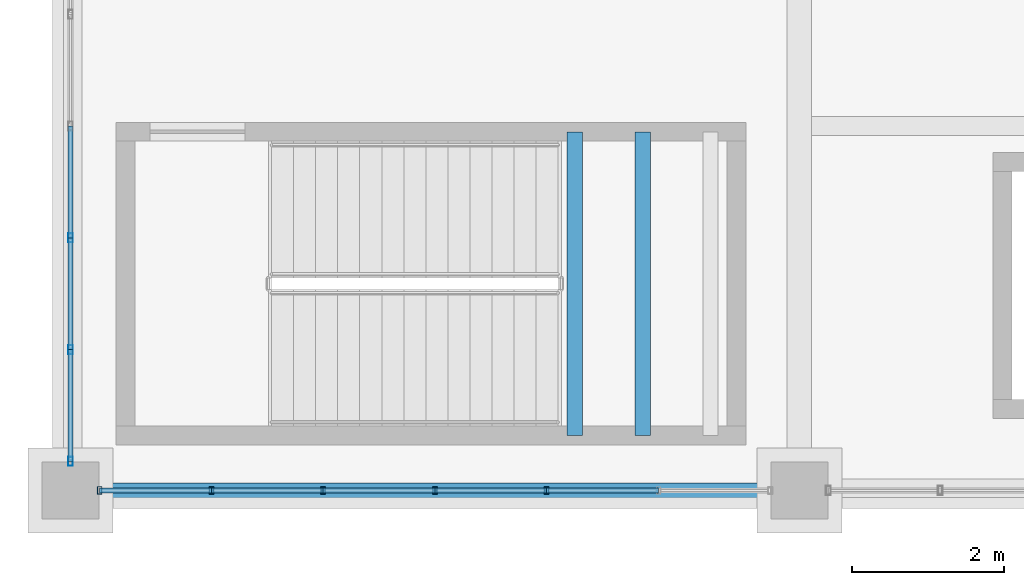
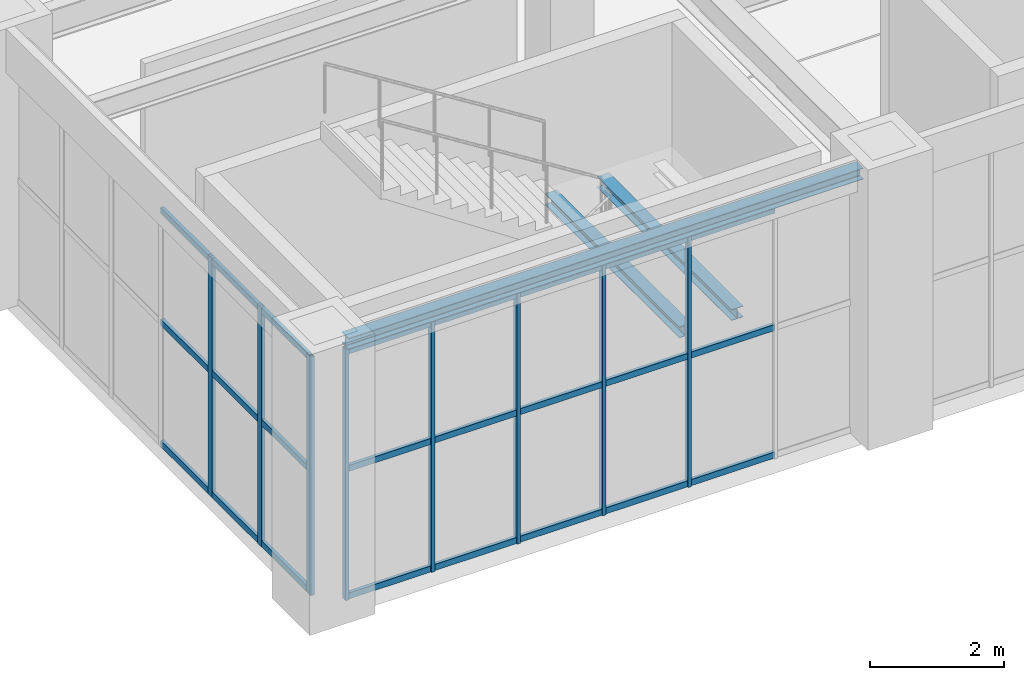
# One storey, part 4 of 174: 32 members, 3 beams, 2 elements without a shape of their own.
"""IFC4 building model written with IfcOpenShell, lengths in metres."""

from ifc_helpers import new_model, si_unit, direction, frame, origin, origin_2d, place, context, subcontext, project, spatial, hollow_rectangle, i_section, extrude, material, material_profile, profile_set, type_object, element, aggregate, save


model = new_model("IFC4")

# Units and contexts
model_context = context("Model", 3, precision=1e-05, world=origin(), true_north=direction((0.0, 1.0)))
body_context = subcontext(model_context, "Body", "Model", "MODEL_VIEW")
ifc_project = project(units=[si_unit("LENGTHUNIT", "METRE"), si_unit("AREAUNIT", "SQUARE_METRE"), si_unit("VOLUMEUNIT", "CUBIC_METRE"), si_unit("PLANEANGLEUNIT", "RADIAN"), si_unit("MASSUNIT", "GRAM", prefix="KILO")], contexts=[model_context])

# Site, building, storey
site_placement = place(None, origin())
site = spatial("IfcSite", under=ifc_project, at=site_placement, CompositionType="ELEMENT")
building_placement = place(site_placement, origin())
building = spatial("IfcBuilding", under=site, at=building_placement, Name="Mavantir Sound Aquarium", CompositionType="ELEMENT")
storey_placement = place(building_placement, frame((0.0, 0.0, 5.39990234375)))
storey = spatial("IfcBuildingStorey", under=building, at=storey_placement, Name="L01", CompositionType="ELEMENT", Elevation=5.39990234375)

# Beams
ifc_material_1 = material(Name="Structural Steel ASTM A992 Gr50", Category="steel")
ifc_material_profile_1 = material_profile(ifc_material_1, i_section(OverallWidth=0.202880859375, OverallDepth=0.202880859375, WebThickness=0.007080078125, FlangeThickness=0.010986328125, FilletRadius=0.010009765625, at=origin_2d()), Name="W200X46")
ifc_profile_set_1 = profile_set([ifc_material_profile_1], Name="Structural Steel ASTM A992 Gr50")
beam_type_1 = type_object("IfcBeamType", Name="BM-W200X46-E", PredefinedType="LINTEL", material=ifc_profile_set_1)
beam_placement = place(storey_placement, frame((0.375, 0.0, 4.694580078125), z_axis=(1.0, 0.0, 0.0), x_axis=(0.0, 1.0, 0.0)))
element("IfcBeam", 1, at=beam_placement, inside=storey, type_object=beam_type_1, Name="L01 primary beam SL-20 1206", PredefinedType="LINTEL", context=body_context, shape_type="SweptSolid", body=[
    extrude(i_section(OverallWidth=0.202880859375, OverallDepth=0.202880859375, WebThickness=0.007080078125, FlangeThickness=0.010986328125, FilletRadius=0.010009765625, at=origin_2d()), origin(), (0.0, 0.0, 1.0), 8.85009765625),
])
ifc_material_profile_2 = material_profile(ifc_material_1, i_section(OverallWidth=0.202880859375, OverallDepth=0.202880859375, WebThickness=0.007080078125, FlangeThickness=0.010986328125, FilletRadius=0.010009765625, at=origin_2d()), Name="W200X46")
ifc_profile_set_2 = profile_set([ifc_material_profile_2], Name="Structural Steel ASTM A992 Gr50")
beam_type_2 = type_object("IfcBeamType", Name="BM-W200X46-I", PredefinedType="LINTEL", material=ifc_profile_set_2)
for number, where, z_axis, x_axis, name in (
    (2, (6.639892578125, 0.72509765625, 2.24560546875), (0.0, 1.0, 0.0), (-1.0, 0.0, 0.0), "Stair ST3 landing support beam 46"),
    (3, (7.534912109375, 0.72509765625, 2.24560546875), (0.0, 1.0, 0.0), (-1.0, 0.0, 0.0), "Stair ST3 landing support beam 47"),
):
    element("IfcBeam", number, at=place(storey_placement, frame(where, z_axis=z_axis, x_axis=x_axis)), inside=storey, type_object=beam_type_2, Name=name, PredefinedType="LINTEL", context=body_context, shape_type="SweptSolid", body=[
        extrude(i_section(OverallWidth=0.202880859375, OverallDepth=0.202880859375, WebThickness=0.007080078125, FlangeThickness=0.010986328125, FilletRadius=0.010009765625, at=origin_2d()), origin(), (0.0, 0.0, 1.0), 4.0),
    ])

# Curtain wall, members
ifc_material_2 = material(Name="Anodised Marine Aluminium and Low-E Glass", Category="aluminium")
curtain_wall_type_1 = type_object("IfcCurtainWallType", Name="CW-T05", PredefinedType="USERDEFINED", material=ifc_material_2)
curtain_wall_1_placement = place(storey_placement, origin())
curtain_wall_1 = element("IfcCurtainWall", 4, at=curtain_wall_1_placement, inside=storey, type_object=curtain_wall_type_1, Name="L01 unitised curtain wall CW-05 77", ObjectType="UNITISED GLAZING", PredefinedType="USERDEFINED")
ifc_material_3 = material(Name="Anodised Marine Aluminium 6063-T6", Category="aluminium")
ifc_material_profile_3 = material_profile(ifc_material_3, hollow_rectangle(XDim=0.06005859375, YDim=0.10009765625, WallThickness=0.00390625, at=origin_2d()), Name="ALU-MULLION-100X60")
ifc_profile_set_3 = profile_set([ifc_material_profile_3], Name="Anodised Marine Aluminium 6063-T6")
member_type_1 = type_object("IfcMemberType", Name="CW-MUL-100", PredefinedType="MULLION", material=ifc_profile_set_3)
member_1_placement = place(storey_placement, frame((0.383056640625, 0.0, 0.0), z_axis=(0.0, 0.0, 1.0), x_axis=(1.0, 0.0, 0.0)))
member_1 = element("IfcMember", 5, at=member_1_placement, type_object=member_type_1, Name="CW-L01-077 vertical mullion 1", PredefinedType="MULLION", context=body_context, shape_type="SweptSolid", body=[
    extrude(hollow_rectangle(XDim=0.06005859375, YDim=0.10009765625, WallThickness=0.00390625, at=origin_2d()), origin(), (0.0, 0.0, 1.0), 4.56298828125),
])
member_2_placement = place(storey_placement, frame((1.855224609375, 0.0, 0.0), z_axis=(0.0, 0.0, 1.0), x_axis=(1.0, 0.0, 0.0)))
member_2 = element("IfcMember", 6, at=member_2_placement, type_object=member_type_1, Name="CW-L01-077 vertical mullion 2", PredefinedType="MULLION", context=body_context, shape_type="SweptSolid", body=[
    extrude(hollow_rectangle(XDim=0.06005859375, YDim=0.10009765625, WallThickness=0.00390625, at=origin_2d()), origin(), (0.0, 0.0, 1.0), 4.56298828125),
])
member_3_placement = place(storey_placement, frame((3.32763671875, 0.0, 0.0), z_axis=(0.0, 0.0, 1.0), x_axis=(1.0, 0.0, 0.0)))
member_3 = element("IfcMember", 7, at=member_3_placement, type_object=member_type_1, Name="CW-L01-077 vertical mullion 3", PredefinedType="MULLION", context=body_context, shape_type="SweptSolid", body=[
    extrude(hollow_rectangle(XDim=0.06005859375, YDim=0.10009765625, WallThickness=0.00390625, at=origin_2d()), origin(), (0.0, 0.0, 1.0), 4.56298828125),
])
member_4_placement = place(storey_placement, frame((4.800048828125, 0.0, 0.0), z_axis=(0.0, 0.0, 1.0), x_axis=(1.0, 0.0, 0.0)))
member_4 = element("IfcMember", 8, at=member_4_placement, type_object=member_type_1, Name="CW-L01-077 vertical mullion 4", PredefinedType="MULLION", context=body_context, shape_type="SweptSolid", body=[
    extrude(hollow_rectangle(XDim=0.06005859375, YDim=0.10009765625, WallThickness=0.00390625, at=origin_2d()), origin(), (0.0, 0.0, 1.0), 4.56298828125),
])
member_5_placement = place(storey_placement, frame((6.272216796875, 0.0, 0.0), z_axis=(0.0, 0.0, 1.0), x_axis=(1.0, 0.0, 0.0)))
member_5 = element("IfcMember", 9, at=member_5_placement, type_object=member_type_1, Name="CW-L01-077 vertical mullion 5", PredefinedType="MULLION", context=body_context, shape_type="SweptSolid", body=[
    extrude(hollow_rectangle(XDim=0.06005859375, YDim=0.10009765625, WallThickness=0.00390625, at=origin_2d()), origin(), (0.0, 0.0, 1.0), 4.56298828125),
])

curtain_wall_type_2 = type_object("IfcCurtainWallType", Name="CW-T04", PredefinedType="USERDEFINED", material=ifc_material_2)
curtain_wall_2_placement = place(storey_placement, origin())
curtain_wall_2 = element("IfcCurtainWall", 10, at=curtain_wall_2_placement, inside=storey, type_object=curtain_wall_type_2, Name="L01 unitised curtain wall CW-04 76", ObjectType="UNITISED GLAZING", PredefinedType="USERDEFINED")
ifc_material_profile_4 = material_profile(ifc_material_3, hollow_rectangle(XDim=0.06494140625, YDim=0.1201171875, WallThickness=0.00390625, at=origin_2d()), Name="ALU-MULLION-120X65")
ifc_profile_set_4 = profile_set([ifc_material_profile_4], Name="Anodised Marine Aluminium 6063-T6")
member_type_2 = type_object("IfcMemberType", Name="CW-MUL-120", PredefinedType="MULLION", material=ifc_profile_set_4)
member_6_placement = place(storey_placement, frame((0.0, 3.32763671875, 0.0), z_axis=(0.0, 0.0, 1.0), x_axis=(1.0, 0.0, 0.0)))
member_6 = element("IfcMember", 11, at=member_6_placement, type_object=member_type_2, Name="CW-L01-076 vertical mullion 5", PredefinedType="MULLION", context=body_context, shape_type="SweptSolid", body=[
    extrude(hollow_rectangle(XDim=0.06494140625, YDim=0.1201171875, WallThickness=0.00390625, at=origin_2d()), origin(), (0.0, 0.0, 1.0), 4.34912109375),
])
member_7_placement = place(storey_placement, frame((0.0, 1.855224609375, 0.0), z_axis=(0.0, 0.0, 1.0), x_axis=(1.0, 0.0, 0.0)))
member_7 = element("IfcMember", 12, at=member_7_placement, type_object=member_type_2, Name="CW-L01-076 vertical mullion 6", PredefinedType="MULLION", context=body_context, shape_type="SweptSolid", body=[
    extrude(hollow_rectangle(XDim=0.06494140625, YDim=0.1201171875, WallThickness=0.00390625, at=origin_2d()), origin(), (0.0, 0.0, 1.0), 4.34912109375),
])
member_8_placement = place(storey_placement, frame((0.0, 0.383056640625, 0.0), z_axis=(0.0, 0.0, 1.0), x_axis=(1.0, 0.0, 0.0)))
member_8 = element("IfcMember", 13, at=member_8_placement, type_object=member_type_2, Name="CW-L01-076 vertical mullion 7", PredefinedType="MULLION", context=body_context, shape_type="SweptSolid", body=[
    extrude(hollow_rectangle(XDim=0.06494140625, YDim=0.1201171875, WallThickness=0.00390625, at=origin_2d()), origin(), (0.0, 0.0, 1.0), 4.34912109375),
])
ifc_material_profile_5 = material_profile(ifc_material_3, hollow_rectangle(XDim=0.06005859375, YDim=0.110107421875, WallThickness=0.00390625, at=origin_2d()), Name="ALU-TRANSOM-110X60")
ifc_profile_set_5 = profile_set([ifc_material_profile_5], Name="Anodised Marine Aluminium 6063-T6")
member_type_3 = type_object("IfcMemberType", Name="CW-TRN-110", PredefinedType="USERDEFINED", material=ifc_profile_set_5)
member_9_placement = place(storey_placement, frame((0.0, 4.800048828125, 0.05517578125), z_axis=(0.0, -1.0, 0.0), x_axis=(1.0, 0.0, 0.0)))
member_9 = element("IfcMember", 14, at=member_9_placement, type_object=member_type_3, Name="CW-L01-076 transom 4.1", ObjectType="TRANSOM", PredefinedType="USERDEFINED", context=body_context, shape_type="SweptSolid", body=[
    extrude(hollow_rectangle(XDim=0.06005859375, YDim=0.110107421875, WallThickness=0.00390625, at=origin_2d()), origin(), (0.0, 0.0, 1.0), 1.472412109375),
])
member_10_placement = place(storey_placement, frame((0.0, 4.800048828125, 2.26171875), z_axis=(0.0, -1.0, 0.0), x_axis=(1.0, 0.0, 0.0)))
member_10 = element("IfcMember", 15, at=member_10_placement, type_object=member_type_3, Name="CW-L01-076 transom 4.2", ObjectType="TRANSOM", PredefinedType="USERDEFINED", context=body_context, shape_type="SweptSolid", body=[
    extrude(hollow_rectangle(XDim=0.06005859375, YDim=0.110107421875, WallThickness=0.00390625, at=origin_2d()), origin(), (0.0, 0.0, 1.0), 1.472412109375),
])
member_11_placement = place(storey_placement, frame((0.0, 4.800048828125, 4.294189453125), z_axis=(0.0, -1.0, 0.0), x_axis=(1.0, 0.0, 0.0)))
member_11 = element("IfcMember", 16, at=member_11_placement, type_object=member_type_3, Name="CW-L01-076 transom 4.3", ObjectType="TRANSOM", PredefinedType="USERDEFINED", context=body_context, shape_type="SweptSolid", body=[
    extrude(hollow_rectangle(XDim=0.06005859375, YDim=0.110107421875, WallThickness=0.00390625, at=origin_2d()), origin(), (0.0, 0.0, 1.0), 1.472412109375),
])
member_12_placement = place(storey_placement, frame((0.0, 3.32763671875, 0.05517578125), z_axis=(0.0, -1.0, 0.0), x_axis=(1.0, 0.0, 0.0)))
member_12 = element("IfcMember", 17, at=member_12_placement, type_object=member_type_3, Name="CW-L01-076 transom 5.1", ObjectType="TRANSOM", PredefinedType="USERDEFINED", context=body_context, shape_type="SweptSolid", body=[
    extrude(hollow_rectangle(XDim=0.06005859375, YDim=0.110107421875, WallThickness=0.00390625, at=origin_2d()), origin(), (0.0, 0.0, 1.0), 1.472412109375),
])
member_13_placement = place(storey_placement, frame((0.0, 3.32763671875, 2.26171875), z_axis=(0.0, -1.0, 0.0), x_axis=(1.0, 0.0, 0.0)))
member_13 = element("IfcMember", 18, at=member_13_placement, type_object=member_type_3, Name="CW-L01-076 transom 5.2", ObjectType="TRANSOM", PredefinedType="USERDEFINED", context=body_context, shape_type="SweptSolid", body=[
    extrude(hollow_rectangle(XDim=0.06005859375, YDim=0.110107421875, WallThickness=0.00390625, at=origin_2d()), origin(), (0.0, 0.0, 1.0), 1.472412109375),
])
member_14_placement = place(storey_placement, frame((0.0, 3.32763671875, 4.294189453125), z_axis=(0.0, -1.0, 0.0), x_axis=(1.0, 0.0, 0.0)))
member_14 = element("IfcMember", 19, at=member_14_placement, type_object=member_type_3, Name="CW-L01-076 transom 5.3", ObjectType="TRANSOM", PredefinedType="USERDEFINED", context=body_context, shape_type="SweptSolid", body=[
    extrude(hollow_rectangle(XDim=0.06005859375, YDim=0.110107421875, WallThickness=0.00390625, at=origin_2d()), origin(), (0.0, 0.0, 1.0), 1.472412109375),
])
member_15_placement = place(storey_placement, frame((0.0, 1.855224609375, 0.05517578125), z_axis=(0.0, -1.0, 0.0), x_axis=(1.0, 0.0, 0.0)))
member_15 = element("IfcMember", 20, at=member_15_placement, type_object=member_type_3, Name="CW-L01-076 transom 6.1", ObjectType="TRANSOM", PredefinedType="USERDEFINED", context=body_context, shape_type="SweptSolid", body=[
    extrude(hollow_rectangle(XDim=0.06005859375, YDim=0.110107421875, WallThickness=0.00390625, at=origin_2d()), origin(), (0.0, 0.0, 1.0), 1.47216796875),
])
member_16_placement = place(storey_placement, frame((0.0, 1.855224609375, 2.26171875), z_axis=(0.0, -1.0, 0.0), x_axis=(1.0, 0.0, 0.0)))
member_16 = element("IfcMember", 21, at=member_16_placement, type_object=member_type_3, Name="CW-L01-076 transom 6.2", ObjectType="TRANSOM", PredefinedType="USERDEFINED", context=body_context, shape_type="SweptSolid", body=[
    extrude(hollow_rectangle(XDim=0.06005859375, YDim=0.110107421875, WallThickness=0.00390625, at=origin_2d()), origin(), (0.0, 0.0, 1.0), 1.47216796875),
])
member_17_placement = place(storey_placement, frame((0.0, 1.855224609375, 4.294189453125), z_axis=(0.0, -1.0, 0.0), x_axis=(1.0, 0.0, 0.0)))
member_17 = element("IfcMember", 22, at=member_17_placement, type_object=member_type_3, Name="CW-L01-076 transom 6.3", ObjectType="TRANSOM", PredefinedType="USERDEFINED", context=body_context, shape_type="SweptSolid", body=[
    extrude(hollow_rectangle(XDim=0.06005859375, YDim=0.110107421875, WallThickness=0.00390625, at=origin_2d()), origin(), (0.0, 0.0, 1.0), 1.47216796875),
])
aggregate(curtain_wall_2, [member_6, member_7, member_8, member_9, member_10, member_11, member_12, member_13, member_14, member_15, member_16, member_17])

# Member
member_18_placement = place(storey_placement, frame((0.383056640625, 0.0, 0.05517578125), z_axis=(1.0, 0.0, 0.0), x_axis=(0.0, 1.0, 0.0)))
member_18 = element("IfcMember", 23, at=member_18_placement, type_object=member_type_3, Name="CW-L01-077 transom 1.1", ObjectType="TRANSOM", PredefinedType="USERDEFINED", context=body_context, shape_type="SweptSolid", body=[
    extrude(hollow_rectangle(XDim=0.06005859375, YDim=0.110107421875, WallThickness=0.00390625, at=origin_2d()), origin(), (0.0, 0.0, 1.0), 1.47216796875),
])

member_19_placement = place(storey_placement, frame((0.383056640625, 0.0, 2.372802734375), z_axis=(1.0, 0.0, 0.0), x_axis=(0.0, 1.0, 0.0)))
member_19 = element("IfcMember", 24, at=member_19_placement, type_object=member_type_3, Name="CW-L01-077 transom 1.2", ObjectType="TRANSOM", PredefinedType="USERDEFINED", context=body_context, shape_type="SweptSolid", body=[
    extrude(hollow_rectangle(XDim=0.06005859375, YDim=0.110107421875, WallThickness=0.00390625, at=origin_2d()), origin(), (0.0, 0.0, 1.0), 1.47216796875),
])

member_20_placement = place(storey_placement, frame((0.383056640625, 0.0, 4.508056640625), z_axis=(1.0, 0.0, 0.0), x_axis=(0.0, 1.0, 0.0)))
member_20 = element("IfcMember", 25, at=member_20_placement, type_object=member_type_3, Name="CW-L01-077 transom 1.3", ObjectType="TRANSOM", PredefinedType="USERDEFINED", context=body_context, shape_type="SweptSolid", body=[
    extrude(hollow_rectangle(XDim=0.06005859375, YDim=0.110107421875, WallThickness=0.00390625, at=origin_2d()), origin(), (0.0, 0.0, 1.0), 1.47216796875),
])

member_21_placement = place(storey_placement, frame((1.855224609375, 0.0, 0.05517578125), z_axis=(1.0, 0.0, 0.0), x_axis=(0.0, 1.0, 0.0)))
member_21 = element("IfcMember", 26, at=member_21_placement, type_object=member_type_3, Name="CW-L01-077 transom 2.1", ObjectType="TRANSOM", PredefinedType="USERDEFINED", context=body_context, shape_type="SweptSolid", body=[
    extrude(hollow_rectangle(XDim=0.06005859375, YDim=0.110107421875, WallThickness=0.00390625, at=origin_2d()), origin(), (0.0, 0.0, 1.0), 1.472412109375),
])

member_22_placement = place(storey_placement, frame((1.855224609375, 0.0, 2.372802734375), z_axis=(1.0, 0.0, 0.0), x_axis=(0.0, 1.0, 0.0)))
member_22 = element("IfcMember", 27, at=member_22_placement, type_object=member_type_3, Name="CW-L01-077 transom 2.2", ObjectType="TRANSOM", PredefinedType="USERDEFINED", context=body_context, shape_type="SweptSolid", body=[
    extrude(hollow_rectangle(XDim=0.06005859375, YDim=0.110107421875, WallThickness=0.00390625, at=origin_2d()), origin(), (0.0, 0.0, 1.0), 1.472412109375),
])

member_23_placement = place(storey_placement, frame((1.855224609375, 0.0, 4.508056640625), z_axis=(1.0, 0.0, 0.0), x_axis=(0.0, 1.0, 0.0)))
member_23 = element("IfcMember", 28, at=member_23_placement, type_object=member_type_3, Name="CW-L01-077 transom 2.3", ObjectType="TRANSOM", PredefinedType="USERDEFINED", context=body_context, shape_type="SweptSolid", body=[
    extrude(hollow_rectangle(XDim=0.06005859375, YDim=0.110107421875, WallThickness=0.00390625, at=origin_2d()), origin(), (0.0, 0.0, 1.0), 1.472412109375),
])

member_24_placement = place(storey_placement, frame((3.32763671875, 0.0, 0.05517578125), z_axis=(1.0, 0.0, 0.0), x_axis=(0.0, 1.0, 0.0)))
member_24 = element("IfcMember", 29, at=member_24_placement, type_object=member_type_3, Name="CW-L01-077 transom 3.1", ObjectType="TRANSOM", PredefinedType="USERDEFINED", context=body_context, shape_type="SweptSolid", body=[
    extrude(hollow_rectangle(XDim=0.06005859375, YDim=0.110107421875, WallThickness=0.00390625, at=origin_2d()), origin(), (0.0, 0.0, 1.0), 1.472412109375),
])

member_25_placement = place(storey_placement, frame((3.32763671875, 0.0, 2.372802734375), z_axis=(1.0, 0.0, 0.0), x_axis=(0.0, 1.0, 0.0)))
member_25 = element("IfcMember", 30, at=member_25_placement, type_object=member_type_3, Name="CW-L01-077 transom 3.2", ObjectType="TRANSOM", PredefinedType="USERDEFINED", context=body_context, shape_type="SweptSolid", body=[
    extrude(hollow_rectangle(XDim=0.06005859375, YDim=0.110107421875, WallThickness=0.00390625, at=origin_2d()), origin(), (0.0, 0.0, 1.0), 1.472412109375),
])

member_26_placement = place(storey_placement, frame((3.32763671875, 0.0, 4.508056640625), z_axis=(1.0, 0.0, 0.0), x_axis=(0.0, 1.0, 0.0)))
member_26 = element("IfcMember", 31, at=member_26_placement, type_object=member_type_3, Name="CW-L01-077 transom 3.3", ObjectType="TRANSOM", PredefinedType="USERDEFINED", context=body_context, shape_type="SweptSolid", body=[
    extrude(hollow_rectangle(XDim=0.06005859375, YDim=0.110107421875, WallThickness=0.00390625, at=origin_2d()), origin(), (0.0, 0.0, 1.0), 1.472412109375),
])

member_27_placement = place(storey_placement, frame((4.800048828125, 0.0, 0.05517578125), z_axis=(1.0, 0.0, 0.0), x_axis=(0.0, 1.0, 0.0)))
member_27 = element("IfcMember", 32, at=member_27_placement, type_object=member_type_3, Name="CW-L01-077 transom 4.1", ObjectType="TRANSOM", PredefinedType="USERDEFINED", context=body_context, shape_type="SweptSolid", body=[
    extrude(hollow_rectangle(XDim=0.06005859375, YDim=0.110107421875, WallThickness=0.00390625, at=origin_2d()), origin(), (0.0, 0.0, 1.0), 1.47216796875),
])

member_28_placement = place(storey_placement, frame((4.800048828125, 0.0, 2.372802734375), z_axis=(1.0, 0.0, 0.0), x_axis=(0.0, 1.0, 0.0)))
member_28 = element("IfcMember", 33, at=member_28_placement, type_object=member_type_3, Name="CW-L01-077 transom 4.2", ObjectType="TRANSOM", PredefinedType="USERDEFINED", context=body_context, shape_type="SweptSolid", body=[
    extrude(hollow_rectangle(XDim=0.06005859375, YDim=0.110107421875, WallThickness=0.00390625, at=origin_2d()), origin(), (0.0, 0.0, 1.0), 1.47216796875),
])

member_29_placement = place(storey_placement, frame((4.800048828125, 0.0, 4.508056640625), z_axis=(1.0, 0.0, 0.0), x_axis=(0.0, 1.0, 0.0)))
member_29 = element("IfcMember", 34, at=member_29_placement, type_object=member_type_3, Name="CW-L01-077 transom 4.3", ObjectType="TRANSOM", PredefinedType="USERDEFINED", context=body_context, shape_type="SweptSolid", body=[
    extrude(hollow_rectangle(XDim=0.06005859375, YDim=0.110107421875, WallThickness=0.00390625, at=origin_2d()), origin(), (0.0, 0.0, 1.0), 1.47216796875),
])

member_30_placement = place(storey_placement, frame((6.272216796875, 0.0, 0.05517578125), z_axis=(1.0, 0.0, 0.0), x_axis=(0.0, 1.0, 0.0)))
member_30 = element("IfcMember", 35, at=member_30_placement, type_object=member_type_3, Name="CW-L01-077 transom 5.1", ObjectType="TRANSOM", PredefinedType="USERDEFINED", context=body_context, shape_type="SweptSolid", body=[
    extrude(hollow_rectangle(XDim=0.06005859375, YDim=0.110107421875, WallThickness=0.00390625, at=origin_2d()), origin(), (0.0, 0.0, 1.0), 1.472412109375),
])

member_31_placement = place(storey_placement, frame((6.272216796875, 0.0, 2.372802734375), z_axis=(1.0, 0.0, 0.0), x_axis=(0.0, 1.0, 0.0)))
member_31 = element("IfcMember", 36, at=member_31_placement, type_object=member_type_3, Name="CW-L01-077 transom 5.2", ObjectType="TRANSOM", PredefinedType="USERDEFINED", context=body_context, shape_type="SweptSolid", body=[
    extrude(hollow_rectangle(XDim=0.06005859375, YDim=0.110107421875, WallThickness=0.00390625, at=origin_2d()), origin(), (0.0, 0.0, 1.0), 1.472412109375),
])

member_32_placement = place(storey_placement, frame((6.272216796875, 0.0, 4.508056640625), z_axis=(1.0, 0.0, 0.0), x_axis=(0.0, 1.0, 0.0)))
member_32 = element("IfcMember", 37, at=member_32_placement, type_object=member_type_3, Name="CW-L01-077 transom 5.3", ObjectType="TRANSOM", PredefinedType="USERDEFINED", context=body_context, shape_type="SweptSolid", body=[
    extrude(hollow_rectangle(XDim=0.06005859375, YDim=0.110107421875, WallThickness=0.00390625, at=origin_2d()), origin(), (0.0, 0.0, 1.0), 1.472412109375),
])

aggregate(curtain_wall_1, [member_1, member_2, member_3, member_4, member_5, member_18, member_19, member_20, member_21, member_22, member_23, member_24, member_25, member_26, member_27, member_28, member_29, member_30, member_31, member_32])

save(model, "model.ifc")
